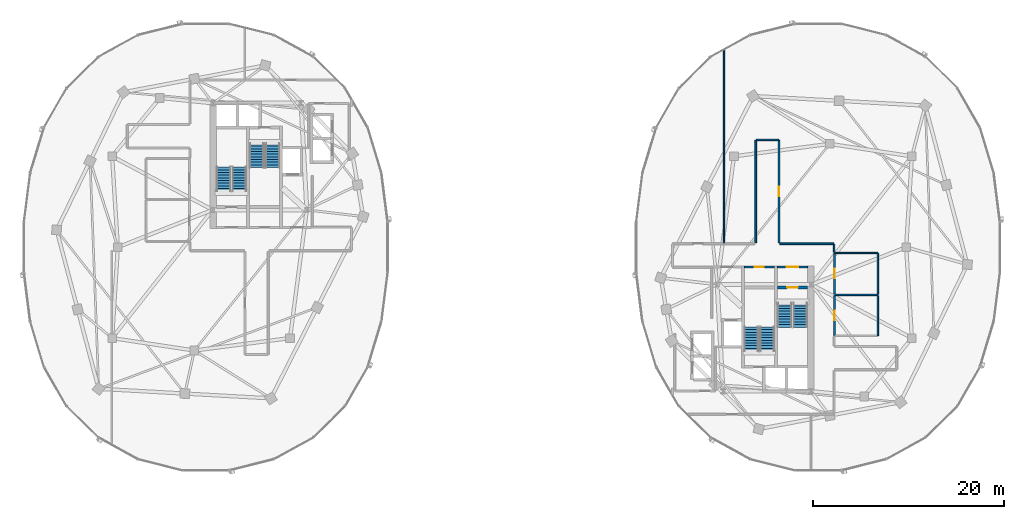
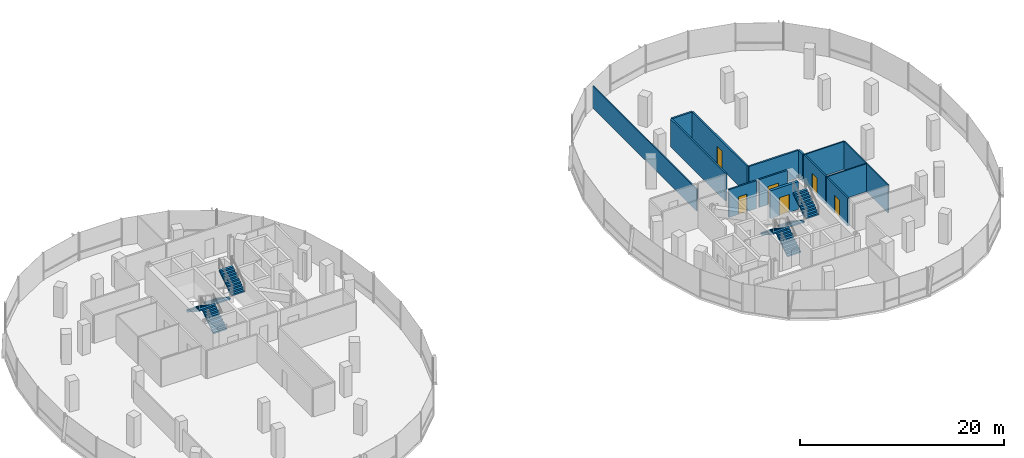
# One storey, part 14 of 21: 15 walls, 8 stair flights, 6 doors, 6 openings, 4 elements without a shape of their own.
"""IFC4 building model written with IfcOpenShell, lengths in metres."""

from ifc_helpers import new_model, si_unit, direction, frame, frame_2d, origin, place, context, subcontext, project, spatial, polyline, rectangle, outline, extrude, material, layer, layer_set, type_object, element, fill, aggregate, save


model = new_model("IFC4")

# Units and contexts
model_context = context("Model", 3, precision=1e-05, world=origin(), true_north=direction((0.0, 1.0)))
body_context = subcontext(model_context, "Body", "Model", "MODEL_VIEW")
ifc_project = project(units=[si_unit("LENGTHUNIT", "METRE"), si_unit("AREAUNIT", "SQUARE_METRE"), si_unit("VOLUMEUNIT", "CUBIC_METRE"), si_unit("PLANEANGLEUNIT", "RADIAN"), si_unit("MASSUNIT", "GRAM", prefix="KILO"), si_unit("THERMODYNAMICTEMPERATUREUNIT", "KELVIN"), si_unit("POWERUNIT", "WATT")], contexts=[model_context])

# Site, building, storey
site_placement = place(None, origin())
site = spatial("IfcSite", under=ifc_project, at=site_placement, CompositionType="ELEMENT")
building_placement = place(site_placement, origin())
building = spatial("IfcBuilding", under=site, at=building_placement, Name="Cundina Bronze Exchange", CompositionType="ELEMENT")
storey_placement = place(building_placement, frame((0.0, 0.0, 183.60009765625)))
storey = spatial("IfcBuildingStorey", under=building, at=storey_placement, Name="L48", CompositionType="ELEMENT", Elevation=183.60009765625)

# Wall, opening, door
ifc_material_1 = material(Name="Gypsum Fireboard Partition EI120")
ifc_layer_1 = layer(ifc_material_1, 0.179931640625, Name="Gypsum Fireboard Partition EI120")
ifc_layer_set_1 = layer_set([ifc_layer_1], Name="Gypsum Fireboard Partition EI120")
wall_type_1 = type_object("IfcWallType", Name="WL-COR-180", PredefinedType="PARTITIONING", material=ifc_layer_set_1)
wall_1_placement = place(storey_placement, frame((27.739990234375, -2.06005859375, 0.0), z_axis=(0.0, 0.0, 1.0), x_axis=(1.0, 0.0, 0.0)))
wall_1 = element("IfcWall", 1, at=wall_1_placement, inside=storey, type_object=wall_type_1, Name="L48 E Stair Vestibule Exit Wall", PredefinedType="PARTITIONING", context=body_context, shape_type="SweptSolid", body=[
    extrude(rectangle(XDim=3.159912109375, YDim=0.179931640625, at=frame_2d((1.580078125, 0.0))), origin(), (0.0, 0.0, 1.0), 3.31982421875),
])
opening_1_placement = place(wall_1_placement, frame((0.97998046875, 0.0, 0.0)))
opening_1 = element("IfcOpeningElement", 2, at=opening_1_placement, cuts=wall_1, Name="Opening DF-01", PredefinedType="OPENING", context=body_context, shape_type="SweptSolid", body=[
    extrude(rectangle(XDim=1.199951171875, YDim=2.14990234375, at=frame_2d((0.60009765625, 1.074951171875))), frame((0.0, 0.099853515625, 0.0), z_axis=(0.0, -1.0, 0.0), x_axis=(1.0, 0.0, 0.0)), (0.0, 0.0, 1.0), 0.199951171875),
])
ifc_material_2 = material(Name="Steel ASTM A36 Painted", Category="steel")
door_type_1 = type_object("IfcDoorType", Name="DR-FFL-1200", OperationType="NOTDEFINED", PredefinedType="DOOR", material=ifc_material_2)
door_1_placement = place(opening_1_placement, origin())
door_1 = element("IfcDoor", 3, at=door_1_placement, inside=storey, type_object=door_type_1, Name="L48 E Stair Vestibule Door", OperationType="SINGLE_SWING_RIGHT", OverallHeight=2.14990234375, OverallWidth=1.199951171875, PredefinedType="DOOR", context=body_context, shape_type="SweptSolid", body=[
    extrude(rectangle(XDim=1.199951171875, YDim=2.14990234375, at=frame_2d((0.60009765625, 1.074951171875))), frame((0.0, 0.02490234375, 0.0), z_axis=(0.0, -1.0, 0.0), x_axis=(1.0, 0.0, 0.0)), (0.0, 0.0, 1.0), 0.050048828125),
])
fill(opening_1, door_1)

wall_2_placement = place(storey_placement, frame((24.300048828125, -2.070068359375, 0.0), z_axis=(0.0, 0.0, 1.0), x_axis=(1.0, 0.0, 0.0)))
wall_2 = element("IfcWall", 4, at=wall_2_placement, inside=storey, type_object=wall_type_1, Name="L48 Interior Partition 037", PredefinedType="PARTITIONING", context=body_context, shape_type="SweptSolid", body=[
    extrude(rectangle(XDim=3.119873046875, YDim=0.179931640625, at=frame_2d((1.56005859375, 0.0))), origin(), (0.0, 0.0, 1.0), 3.31982421875),
])
opening_2_placement = place(wall_2_placement, frame((1.0849609375, 0.0, 0.0)))
opening_2 = element("IfcOpeningElement", 5, at=opening_2_placement, cuts=wall_2, Name="Opening DW-01", PredefinedType="OPENING", context=body_context, shape_type="SweptSolid", body=[
    extrude(rectangle(XDim=0.949951171875, YDim=2.10009765625, at=frame_2d((0.47509765625, 1.050048828125))), frame((0.0, 0.099853515625, 0.0), z_axis=(0.0, -1.0, 0.0), x_axis=(1.0, 0.0, 0.0)), (0.0, 0.0, 1.0), 0.199951171875),
])
ifc_material_3 = material(Name="Solid Andean Oak Timber Grade A", Category="wood")
door_type_2 = type_object("IfcDoorType", Name="DR-WC-950", OperationType="NOTDEFINED", PredefinedType="DOOR", material=ifc_material_3)
door_2_placement = place(opening_2_placement, origin())
door_2 = element("IfcDoor", 6, at=door_2_placement, inside=storey, type_object=door_type_2, Name="L48 Interior Door 037", OperationType="SINGLE_SWING_RIGHT", OverallHeight=2.10009765625, OverallWidth=0.949951171875, PredefinedType="DOOR", context=body_context, shape_type="SweptSolid", body=[
    extrude(rectangle(XDim=0.949951171875, YDim=2.10009765625, at=frame_2d((0.47509765625, 1.050048828125))), frame((0.0, 0.02490234375, 0.0), z_axis=(0.0, -1.0, 0.0), x_axis=(1.0, 0.0, 0.0)), (0.0, 0.0, 1.0), 0.050048828125),
])
fill(opening_2, door_2)

wall_3_placement = place(storey_placement, frame((33.719970703125, -4.8798828125, 0.0), z_axis=(0.0, 0.0, 1.0), x_axis=(0.0, 1.0, 0.0)))
wall_3 = element("IfcWall", 7, at=wall_3_placement, inside=storey, type_object=wall_type_1, Name="L48 Interior Partition 043", PredefinedType="PARTITIONING", context=body_context, shape_type="SweptSolid", body=[
    extrude(rectangle(XDim=4.259765625, YDim=0.179931640625, at=frame_2d((2.1298828125, 0.0))), origin(), (0.0, 0.0, 1.0), 3.31982421875),
])
opening_3_placement = place(wall_3_placement, frame((1.655029296875, 0.0, 0.0)))
opening_3 = element("IfcOpeningElement", 8, at=opening_3_placement, cuts=wall_3, Name="Opening DW-01", PredefinedType="OPENING", context=body_context, shape_type="SweptSolid", body=[
    extrude(rectangle(XDim=0.949951171875, YDim=2.10009765625, at=frame_2d((0.47509765625, 1.050048828125))), frame((0.0, 0.099853515625, 0.0), z_axis=(0.0, -1.0, 0.0), x_axis=(1.0, 0.0, 0.0)), (0.0, 0.0, 1.0), 0.199951171875),
])
door_3_placement = place(opening_3_placement, origin())
door_3 = element("IfcDoor", 9, at=door_3_placement, inside=storey, type_object=door_type_2, Name="L48 Interior Door 043", OperationType="SINGLE_SWING_RIGHT", OverallHeight=2.10009765625, OverallWidth=0.949951171875, PredefinedType="DOOR", context=body_context, shape_type="SweptSolid", body=[
    extrude(rectangle(XDim=0.949951171875, YDim=2.10009765625, at=frame_2d((0.47509765625, 1.050048828125))), frame((0.0, 0.02490234375, 0.0), z_axis=(0.0, -1.0, 0.0), x_axis=(1.0, 0.0, 0.0)), (0.0, 0.0, 1.0), 0.050048828125),
])
fill(opening_3, door_3)

wall_4_placement = place(storey_placement, frame((33.719970703125, -9.239990234375, 0.0), z_axis=(0.0, 0.0, 1.0), x_axis=(0.0, 1.0, 0.0)))
wall_4 = element("IfcWall", 10, at=wall_4_placement, inside=storey, type_object=wall_type_1, Name="L48 Interior Partition 044", PredefinedType="PARTITIONING", context=body_context, shape_type="SweptSolid", body=[
    extrude(rectangle(XDim=4.159912109375, YDim=0.179931640625, at=frame_2d((2.080078125, 0.0))), origin(), (0.0, 0.0, 1.0), 3.31982421875),
])
opening_4_placement = place(wall_4_placement, frame((1.580078125, 0.0, 0.0)))
opening_4 = element("IfcOpeningElement", 11, at=opening_4_placement, cuts=wall_4, Name="Opening DO-01", PredefinedType="OPENING", context=body_context, shape_type="SweptSolid", body=[
    extrude(rectangle(XDim=1.0, YDim=2.14990234375, at=frame_2d((0.5, 1.074951171875))), frame((0.0, 0.099853515625, 0.0), z_axis=(0.0, -1.0, 0.0), x_axis=(1.0, 0.0, 0.0)), (0.0, 0.0, 1.0), 0.199951171875),
])
door_type_3 = type_object("IfcDoorType", Name="DR-OFF-1000", OperationType="NOTDEFINED", PredefinedType="DOOR", material=ifc_material_3)
door_4_placement = place(opening_4_placement, origin())
door_4 = element("IfcDoor", 12, at=door_4_placement, inside=storey, type_object=door_type_3, Name="L48 Interior Door 044", OperationType="SINGLE_SWING_RIGHT", OverallHeight=2.14990234375, OverallWidth=1.0, PredefinedType="DOOR", context=body_context, shape_type="SweptSolid", body=[
    extrude(rectangle(XDim=1.0, YDim=2.14990234375, at=frame_2d((0.5, 1.074951171875))), frame((0.0, 0.02490234375, 0.0), z_axis=(0.0, -1.0, 0.0), x_axis=(1.0, 0.0, 0.0)), (0.0, 0.0, 1.0), 0.050048828125),
])
fill(opening_4, door_4)

wall_5_placement = place(storey_placement, frame((27.919921875, 0.449951171875, 0.0), z_axis=(0.0, 0.0, 1.0), x_axis=(0.0, 1.0, 0.0)))
wall_5 = element("IfcWall", 13, at=wall_5_placement, inside=storey, type_object=wall_type_1, Name="L48 Interior Partition 052", PredefinedType="PARTITIONING", context=body_context, shape_type="SweptSolid", body=[
    extrude(rectangle(XDim=10.728515625, YDim=0.179931640625, at=frame_2d((5.3642578125, 0.0))), origin(), (0.0, 0.0, 1.0), 3.31982421875),
])
opening_5_placement = place(wall_5_placement, frame((4.8642578125, 0.0, 0.0)))
opening_5 = element("IfcOpeningElement", 14, at=opening_5_placement, cuts=wall_5, Name="Opening DO-01", PredefinedType="OPENING", context=body_context, shape_type="SweptSolid", body=[
    extrude(rectangle(XDim=1.0, YDim=2.14990234375, at=frame_2d((0.5, 1.074951171875))), frame((0.0, 0.099853515625, 0.0), z_axis=(0.0, -1.0, 0.0), x_axis=(1.0, 0.0, 0.0)), (0.0, 0.0, 1.0), 0.199951171875),
])
door_5_placement = place(opening_5_placement, origin())
door_5 = element("IfcDoor", 15, at=door_5_placement, inside=storey, type_object=door_type_3, Name="L48 Interior Door 052", OperationType="SINGLE_SWING_RIGHT", OverallHeight=2.14990234375, OverallWidth=1.0, PredefinedType="DOOR", context=body_context, shape_type="SweptSolid", body=[
    extrude(rectangle(XDim=1.0, YDim=2.14990234375, at=frame_2d((0.5, 1.074951171875))), frame((0.0, 0.02490234375, 0.0), z_axis=(0.0, -1.0, 0.0), x_axis=(1.0, 0.0, 0.0)), (0.0, 0.0, 1.0), 0.050048828125),
])
fill(opening_5, door_5)

# Walls
wall_6_placement = place(storey_placement, frame((25.47998046875, 11.178466796875, 0.0), z_axis=(0.0, 0.0, 1.0), x_axis=(0.0, -1.0, 0.0)))
element("IfcWall", 16, at=wall_6_placement, inside=storey, type_object=wall_type_1, Name="L48 Interior Partition 053", PredefinedType="PARTITIONING", context=body_context, shape_type="SweptSolid", body=[
    extrude(rectangle(XDim=10.728515625, YDim=0.179931640625, at=frame_2d((5.3642578125, 0.0))), origin(), (0.0, 0.0, 1.0), 3.31982421875),
])
wall_7_placement = place(storey_placement, frame((33.62841796875, 0.3701171875, 0.0), z_axis=(0.0, 0.0, 1.0), x_axis=(-1.0, 0.0, 0.0)))
element("IfcWall", 17, at=wall_7_placement, inside=storey, type_object=wall_type_1, Name="L48 Interior Partition 056", PredefinedType="PARTITIONING", context=body_context, shape_type="SweptSolid", body=[
    extrude(rectangle(XDim=5.62841796875, YDim=0.179931640625, at=frame_2d((2.814208984375, 0.0))), origin(), (0.0, 0.0, 1.0), 3.31982421875),
])
wall_8_placement = place(storey_placement, frame((27.87841796875, 11.219970703125, 0.0), z_axis=(0.0, 0.0, 1.0), x_axis=(-1.0, 0.0, 0.0)))
element("IfcWall", 18, at=wall_8_placement, inside=storey, type_object=wall_type_1, Name="L48 Interior Partition 059", PredefinedType="PARTITIONING", context=body_context, shape_type="SweptSolid", body=[
    extrude(rectangle(XDim=2.35693359375, YDim=0.179931640625, at=frame_2d((1.178466796875, 0.0))), origin(), (0.0, 0.0, 1.0), 3.31982421875),
])
wall_9_placement = place(storey_placement, frame((33.669921875, -0.508544921875, 0.0), z_axis=(0.0, 0.0, 1.0), x_axis=(0.0, 1.0, 0.0)))
element("IfcWall", 19, at=wall_9_placement, inside=storey, type_object=wall_type_1, Name="L48 Interior Partition 063", PredefinedType="PARTITIONING", context=body_context, shape_type="SweptSolid", body=[
    extrude(rectangle(XDim=0.837158203125, YDim=0.179931640625, at=frame_2d((0.41845703125, 0.0))), origin(), (0.0, 0.0, 1.0), 3.31982421875),
])
ifc_material_4 = material(Name="Gypsum Acoustic Partition EI60")
ifc_layer_2 = layer(ifc_material_4, 0.125, Name="Gypsum Acoustic Partition EI60")
ifc_layer_set_2 = layer_set([ifc_layer_2], Name="Gypsum Acoustic Partition EI60")
wall_type_2 = type_object("IfcWallType", Name="WL-OFF-125", PredefinedType="PARTITIONING", material=ifc_layer_set_2)
wall_10_placement = place(storey_placement, frame((22.169921875, 0.39990234375, 0.0), z_axis=(0.0, 0.0, 1.0), x_axis=(0.0, 1.0, 0.0)))
element("IfcWall", 20, at=wall_10_placement, inside=storey, type_object=wall_type_2, Name="L48 Interior Partition 045", PredefinedType="PARTITIONING", context=body_context, shape_type="SweptSolid", body=[
    extrude(rectangle(XDim=20.341552734375, YDim=0.125, at=frame_2d((10.1708984375, 0.0))), origin(), (0.0, 0.0, 1.0), 2.625),
])

# Wall, opening, door
ifc_material_5 = material(Name="Concrete C50/60", Category="concrete")
ifc_layer_3 = layer(ifc_material_5, 0.300048828125, Name="Concrete C50/60", Category="concrete")
ifc_layer_set_3 = layer_set([ifc_layer_3], Name="Concrete C50/60")
wall_type_3 = type_object("IfcWallType", Name="WL-SHFT-300", PredefinedType="SHEAR", material=ifc_layer_set_3)
wall_11_placement = place(storey_placement, frame((27.739990234375, -4.199951171875, 0.0), z_axis=(0.0, 0.0, 1.0), x_axis=(1.0, 0.0, 0.0)))
wall_11 = element("IfcWall", 21, at=wall_11_placement, inside=storey, type_object=wall_type_3, Name="L48 Stair E1 Landing Wall", PredefinedType="SHEAR", context=body_context, shape_type="SweptSolid", body=[
    extrude(rectangle(XDim=3.159912109375, YDim=0.300048828125, at=frame_2d((1.580078125, 0.0))), origin(), (0.0, 0.0, 1.0), 3.31982421875),
])
opening_6_placement = place(wall_11_placement, frame((1.030029296875, 0.0, 0.0)))
opening_6 = element("IfcOpeningElement", 22, at=opening_6_placement, cuts=wall_11, Name="Opening DS-01", PredefinedType="OPENING", context=body_context, shape_type="SweptSolid", body=[
    extrude(rectangle(XDim=1.10009765625, YDim=2.14990234375, at=frame_2d((0.550048828125, 1.074951171875))), frame((0.0, 0.159912109375, 0.0), z_axis=(0.0, -1.0, 0.0), x_axis=(1.0, 0.0, 0.0)), (0.0, 0.0, 1.0), 0.320068359375),
])
door_type_4 = type_object("IfcDoorType", Name="DR-STR-1100", OperationType="NOTDEFINED", PredefinedType="DOOR", material=ifc_material_2)
door_6_placement = place(opening_6_placement, origin())
door_6 = element("IfcDoor", 23, at=door_6_placement, inside=storey, type_object=door_type_4, Name="L48 Smokeproof Stair E1 Door", OperationType="SINGLE_SWING_LEFT", OverallHeight=2.14990234375, OverallWidth=1.10009765625, PredefinedType="DOOR", context=body_context, shape_type="SweptSolid", body=[
    extrude(rectangle(XDim=1.10009765625, YDim=2.14990234375, at=frame_2d((0.550048828125, 1.074951171875))), frame((0.0, 0.02490234375, 0.0), z_axis=(0.0, -1.0, 0.0), x_axis=(1.0, 0.0, 0.0)), (0.0, 0.0, 1.0), 0.050048828125),
])
fill(opening_6, door_6)

# Walls
ifc_material_6 = material(Name="Moisture-Resistant Masonry Block Grade M15", Category="masonry")
ifc_layer_4 = layer(ifc_material_6, 0.139892578125, Name="Moisture-Resistant Masonry Block Grade M15", Category="masonry")
ifc_layer_set_4 = layer_set([ifc_layer_4], Name="Moisture-Resistant Masonry Block Grade M15")
wall_type_4 = type_object("IfcWallType", Name="WL-WET-140", PredefinedType="PARTITIONING", material=ifc_layer_set_4)
wall_12_placement = place(storey_placement, frame((38.239990234375, -9.239990234375, 0.0), z_axis=(0.0, 0.0, 1.0), x_axis=(0.0, 1.0, 0.0)))
element("IfcWall", 24, at=wall_12_placement, inside=storey, type_object=wall_type_4, Name="L48 Interior Partition 038", PredefinedType="PARTITIONING", context=body_context, shape_type="SweptSolid", body=[
    extrude(rectangle(XDim=4.175048828125, YDim=0.139892578125, at=frame_2d((2.08740234375, 0.0))), origin(), (0.0, 0.0, 1.0), 3.31982421875),
])
wall_13_placement = place(storey_placement, frame((38.239990234375, -4.89501953125, 0.0), z_axis=(0.0, 0.0, 1.0), x_axis=(0.0, 1.0, 0.0)))
element("IfcWall", 25, at=wall_13_placement, inside=storey, type_object=wall_type_4, Name="L48 Interior Partition 039", PredefinedType="PARTITIONING", context=body_context, shape_type="SweptSolid", body=[
    extrude(rectangle(XDim=4.27490234375, YDim=0.139892578125, at=frame_2d((2.137451171875, 0.0))), origin(), (0.0, 0.0, 1.0), 3.31982421875),
])
for number, where, z_axis, x_axis, name in (
    (26, (33.739990234375, -0.60009765625, 0.0), (0.0, 0.0, 1.0), (1.0, 0.0, 0.0), "L48 Interior Partition 040"),
    (27, (33.739990234375, -4.97998046875, 0.0), (0.0, 0.0, 1.0), (1.0, 0.0, 0.0), "L48 Interior Partition 041"),
):
    element("IfcWall", number, at=place(storey_placement, frame(where, z_axis=z_axis, x_axis=x_axis)), inside=storey, type_object=wall_type_4, Name=name, PredefinedType="PARTITIONING", context=body_context, shape_type="SweptSolid", body=[
        extrude(rectangle(XDim=4.47998046875, YDim=0.139892578125, at=frame_2d((2.239990234375, 0.0))), origin(), (0.0, 0.0, 1.0), 3.31982421875),
    ])

# Stair, stair flights
ifc_material_7 = material(Name="Concrete C40/50", Category="concrete")
stair_type = type_object("IfcStairType", Name="STR-OFF-360", PredefinedType="HALF_TURN_STAIR", material=ifc_material_7)
stair_1_placement = place(storey_placement, origin())
stair_1 = element("IfcStair", 28, at=stair_1_placement, inside=storey, type_object=stair_type, Name="L48 Smokeproof Exit Stair W1", PredefinedType="HALF_TURN_STAIR")
stair_flight_type = type_object("IfcStairFlightType", Name="FLG-OFF-180", PredefinedType="STRAIGHT", material=ifc_material_7)
stair_flight_1_placement = place(storey_placement, frame((-28.489990234375, 5.85009765625, 0.0), z_axis=(0.0, 0.0, 1.0), x_axis=(0.0, 1.0, 0.0)))
stair_flight_1 = element("IfcStairFlight", 29, at=stair_flight_1_placement, type_object=stair_flight_type, Name="ST-W1 flight 1", NumberOfRisers=10, NumberOfTreads=9, PredefinedType="STRAIGHT", RiserHeight=0.18, TreadLength=0.28, context=body_context, shape_type="SweptSolid", body=[
    extrude(outline(polyline([(0.0, 0.0), (0.0, 0.179931640625), (0.280029296875, 0.179931640625), (0.280029296875, 0.360107421875), (0.56005859375, 0.360107421875), (0.56005859375, 0.5400390625), (0.840087890625, 0.5400390625), (0.840087890625, 0.719970703125), (1.1201171875, 0.719970703125), (1.1201171875, 0.89990234375), (1.39990234375, 0.89990234375), (1.39990234375, 1.080078125), (1.679931640625, 1.080078125), (1.679931640625, 1.260009765625), (1.9599609375, 1.260009765625), (1.9599609375, 1.43994140625), (2.239990234375, 1.43994140625), (2.239990234375, 1.6201171875), (2.52001953125, 1.6201171875), (2.52001953125, 1.800048828125), (2.52001953125, 1.44189453125), (0.277099609375, 0.0), (0.0, 0.0)])), frame((0.0, 0.75, 0.0), z_axis=(0.0, -1.0, 0.0), x_axis=(1.0, 0.0, 0.0)), (0.0, 0.0, 1.0), 1.5),
])
stair_flight_2_placement = place(storey_placement, frame((-30.14990234375, 8.3701171875, 1.7998046875), z_axis=(0.0, 0.0, 1.0), x_axis=(0.0, -1.0, 0.0)))
stair_flight_2 = element("IfcStairFlight", 30, at=stair_flight_2_placement, type_object=stair_flight_type, Name="ST-W1 flight 2", NumberOfRisers=10, NumberOfTreads=9, PredefinedType="STRAIGHT", RiserHeight=0.18, TreadLength=0.28, context=body_context, shape_type="SweptSolid", body=[
    extrude(outline(polyline([(0.0, 0.0), (0.0, 0.179931640625), (0.280029296875, 0.179931640625), (0.280029296875, 0.360107421875), (0.56005859375, 0.360107421875), (0.56005859375, 0.5400390625), (0.840087890625, 0.5400390625), (0.840087890625, 0.719970703125), (1.1201171875, 0.719970703125), (1.1201171875, 0.89990234375), (1.39990234375, 0.89990234375), (1.39990234375, 1.080078125), (1.679931640625, 1.080078125), (1.679931640625, 1.260009765625), (1.9599609375, 1.260009765625), (1.9599609375, 1.43994140625), (2.239990234375, 1.43994140625), (2.239990234375, 1.6201171875), (2.52001953125, 1.6201171875), (2.52001953125, 1.800048828125), (2.52001953125, 1.44189453125), (0.277099609375, 0.0), (0.0, 0.0)])), frame((0.0, 0.75, 0.0), z_axis=(0.0, -1.0, 0.0), x_axis=(1.0, 0.0, 0.0)), (0.0, 0.0, 1.0), 1.5),
])
aggregate(stair_1, [stair_flight_1, stair_flight_2])

stair_2_placement = place(storey_placement, origin())
stair_2 = element("IfcStair", 31, at=stair_2_placement, inside=storey, type_object=stair_type, Name="L48 Smokeproof Exit Stair W2", PredefinedType="HALF_TURN_STAIR")
stair_flight_3_placement = place(storey_placement, frame((-26.68994140625, 10.85009765625, 0.0), z_axis=(0.0, 0.0, 1.0), x_axis=(0.0, -1.0, 0.0)))
stair_flight_3 = element("IfcStairFlight", 32, at=stair_flight_3_placement, type_object=stair_flight_type, Name="ST-W2 flight 1", NumberOfRisers=10, NumberOfTreads=9, PredefinedType="STRAIGHT", RiserHeight=0.18, TreadLength=0.28, context=body_context, shape_type="SweptSolid", body=[
    extrude(outline(polyline([(0.0, 0.0), (0.0, 0.179931640625), (0.280029296875, 0.179931640625), (0.280029296875, 0.360107421875), (0.56005859375, 0.360107421875), (0.56005859375, 0.5400390625), (0.840087890625, 0.5400390625), (0.840087890625, 0.719970703125), (1.1201171875, 0.719970703125), (1.1201171875, 0.89990234375), (1.39990234375, 0.89990234375), (1.39990234375, 1.080078125), (1.679931640625, 1.080078125), (1.679931640625, 1.260009765625), (1.9599609375, 1.260009765625), (1.9599609375, 1.43994140625), (2.239990234375, 1.43994140625), (2.239990234375, 1.6201171875), (2.52001953125, 1.6201171875), (2.52001953125, 1.800048828125), (2.52001953125, 1.44189453125), (0.277099609375, 0.0), (0.0, 0.0)])), frame((0.0, 0.75, 0.0), z_axis=(0.0, -1.0, 0.0), x_axis=(1.0, 0.0, 0.0)), (0.0, 0.0, 1.0), 1.5),
])
stair_flight_4_placement = place(storey_placement, frame((-25.030029296875, 8.330078125, 1.7998046875), z_axis=(0.0, 0.0, 1.0), x_axis=(0.0, 1.0, 0.0)))
stair_flight_4 = element("IfcStairFlight", 33, at=stair_flight_4_placement, type_object=stair_flight_type, Name="ST-W2 flight 2", NumberOfRisers=10, NumberOfTreads=9, PredefinedType="STRAIGHT", RiserHeight=0.18, TreadLength=0.28, context=body_context, shape_type="SweptSolid", body=[
    extrude(outline(polyline([(0.0, 0.0), (0.0, 0.179931640625), (0.280029296875, 0.179931640625), (0.280029296875, 0.360107421875), (0.56005859375, 0.360107421875), (0.56005859375, 0.5400390625), (0.840087890625, 0.5400390625), (0.840087890625, 0.719970703125), (1.1201171875, 0.719970703125), (1.1201171875, 0.89990234375), (1.39990234375, 0.89990234375), (1.39990234375, 1.080078125), (1.679931640625, 1.080078125), (1.679931640625, 1.260009765625), (1.9599609375, 1.260009765625), (1.9599609375, 1.43994140625), (2.239990234375, 1.43994140625), (2.239990234375, 1.6201171875), (2.52001953125, 1.6201171875), (2.52001953125, 1.800048828125), (2.52001953125, 1.44189453125), (0.277099609375, 0.0), (0.0, 0.0)])), frame((0.0, 0.75, 0.0), z_axis=(0.0, -1.0, 0.0), x_axis=(1.0, 0.0, 0.0)), (0.0, 0.0, 1.0), 1.5),
])
aggregate(stair_2, [stair_flight_3, stair_flight_4])

stair_3_placement = place(storey_placement, origin())
stair_3 = element("IfcStair", 34, at=stair_3_placement, inside=storey, type_object=stair_type, Name="L48 Smokeproof Exit Stair E1", PredefinedType="HALF_TURN_STAIR")
stair_flight_5_placement = place(storey_placement, frame((28.489990234375, -5.85009765625, 0.0), z_axis=(0.0, 0.0, 1.0), x_axis=(0.0, -1.0, 0.0)))
stair_flight_5 = element("IfcStairFlight", 35, at=stair_flight_5_placement, type_object=stair_flight_type, Name="ST-E1 flight 1", NumberOfRisers=10, NumberOfTreads=9, PredefinedType="STRAIGHT", RiserHeight=0.18, TreadLength=0.28, context=body_context, shape_type="SweptSolid", body=[
    extrude(outline(polyline([(0.0, 0.0), (0.0, 0.179931640625), (0.280029296875, 0.179931640625), (0.280029296875, 0.360107421875), (0.56005859375, 0.360107421875), (0.56005859375, 0.5400390625), (0.840087890625, 0.5400390625), (0.840087890625, 0.719970703125), (1.1201171875, 0.719970703125), (1.1201171875, 0.89990234375), (1.39990234375, 0.89990234375), (1.39990234375, 1.080078125), (1.679931640625, 1.080078125), (1.679931640625, 1.260009765625), (1.9599609375, 1.260009765625), (1.9599609375, 1.43994140625), (2.239990234375, 1.43994140625), (2.239990234375, 1.6201171875), (2.52001953125, 1.6201171875), (2.52001953125, 1.800048828125), (2.52001953125, 1.44189453125), (0.277099609375, 0.0), (0.0, 0.0)])), frame((0.0, 0.75, 0.0), z_axis=(0.0, -1.0, 0.0), x_axis=(1.0, 0.0, 0.0)), (0.0, 0.0, 1.0), 1.5),
])
stair_flight_6_placement = place(storey_placement, frame((30.14990234375, -8.3701171875, 1.7998046875), z_axis=(0.0, 0.0, 1.0), x_axis=(0.0, 1.0, 0.0)))
stair_flight_6 = element("IfcStairFlight", 36, at=stair_flight_6_placement, type_object=stair_flight_type, Name="ST-E1 flight 2", NumberOfRisers=10, NumberOfTreads=9, PredefinedType="STRAIGHT", RiserHeight=0.18, TreadLength=0.28, context=body_context, shape_type="SweptSolid", body=[
    extrude(outline(polyline([(0.0, 0.0), (0.0, 0.179931640625), (0.280029296875, 0.179931640625), (0.280029296875, 0.360107421875), (0.56005859375, 0.360107421875), (0.56005859375, 0.5400390625), (0.840087890625, 0.5400390625), (0.840087890625, 0.719970703125), (1.1201171875, 0.719970703125), (1.1201171875, 0.89990234375), (1.39990234375, 0.89990234375), (1.39990234375, 1.080078125), (1.679931640625, 1.080078125), (1.679931640625, 1.260009765625), (1.9599609375, 1.260009765625), (1.9599609375, 1.43994140625), (2.239990234375, 1.43994140625), (2.239990234375, 1.6201171875), (2.52001953125, 1.6201171875), (2.52001953125, 1.800048828125), (2.52001953125, 1.44189453125), (0.277099609375, 0.0), (0.0, 0.0)])), frame((0.0, 0.75, 0.0), z_axis=(0.0, -1.0, 0.0), x_axis=(1.0, 0.0, 0.0)), (0.0, 0.0, 1.0), 1.5),
])
aggregate(stair_3, [stair_flight_5, stair_flight_6])

stair_4_placement = place(storey_placement, origin())
stair_4 = element("IfcStair", 37, at=stair_4_placement, inside=storey, type_object=stair_type, Name="L48 Smokeproof Exit Stair E2", PredefinedType="HALF_TURN_STAIR")
stair_flight_7_placement = place(storey_placement, frame((26.68994140625, -10.85009765625, 0.0), z_axis=(0.0, 0.0, 1.0), x_axis=(0.0, 1.0, 0.0)))
stair_flight_7 = element("IfcStairFlight", 38, at=stair_flight_7_placement, type_object=stair_flight_type, Name="ST-E2 flight 1", NumberOfRisers=10, NumberOfTreads=9, PredefinedType="STRAIGHT", RiserHeight=0.18, TreadLength=0.28, context=body_context, shape_type="SweptSolid", body=[
    extrude(outline(polyline([(0.0, 0.0), (0.0, 0.179931640625), (0.280029296875, 0.179931640625), (0.280029296875, 0.360107421875), (0.56005859375, 0.360107421875), (0.56005859375, 0.5400390625), (0.840087890625, 0.5400390625), (0.840087890625, 0.719970703125), (1.1201171875, 0.719970703125), (1.1201171875, 0.89990234375), (1.39990234375, 0.89990234375), (1.39990234375, 1.080078125), (1.679931640625, 1.080078125), (1.679931640625, 1.260009765625), (1.9599609375, 1.260009765625), (1.9599609375, 1.43994140625), (2.239990234375, 1.43994140625), (2.239990234375, 1.6201171875), (2.52001953125, 1.6201171875), (2.52001953125, 1.800048828125), (2.52001953125, 1.44189453125), (0.277099609375, 0.0), (0.0, 0.0)])), frame((0.0, 0.75, 0.0), z_axis=(0.0, -1.0, 0.0), x_axis=(1.0, 0.0, 0.0)), (0.0, 0.0, 1.0), 1.5),
])
stair_flight_8_placement = place(storey_placement, frame((25.030029296875, -8.330078125, 1.7998046875), z_axis=(0.0, 0.0, 1.0), x_axis=(0.0, -1.0, 0.0)))
stair_flight_8 = element("IfcStairFlight", 39, at=stair_flight_8_placement, type_object=stair_flight_type, Name="ST-E2 flight 2", NumberOfRisers=10, NumberOfTreads=9, PredefinedType="STRAIGHT", RiserHeight=0.18, TreadLength=0.28, context=body_context, shape_type="SweptSolid", body=[
    extrude(outline(polyline([(0.0, 0.0), (0.0, 0.179931640625), (0.280029296875, 0.179931640625), (0.280029296875, 0.360107421875), (0.56005859375, 0.360107421875), (0.56005859375, 0.5400390625), (0.840087890625, 0.5400390625), (0.840087890625, 0.719970703125), (1.1201171875, 0.719970703125), (1.1201171875, 0.89990234375), (1.39990234375, 0.89990234375), (1.39990234375, 1.080078125), (1.679931640625, 1.080078125), (1.679931640625, 1.260009765625), (1.9599609375, 1.260009765625), (1.9599609375, 1.43994140625), (2.239990234375, 1.43994140625), (2.239990234375, 1.6201171875), (2.52001953125, 1.6201171875), (2.52001953125, 1.800048828125), (2.52001953125, 1.44189453125), (0.277099609375, 0.0), (0.0, 0.0)])), frame((0.0, 0.75, 0.0), z_axis=(0.0, -1.0, 0.0), x_axis=(1.0, 0.0, 0.0)), (0.0, 0.0, 1.0), 1.5),
])
aggregate(stair_4, [stair_flight_7, stair_flight_8])

save(model, "model.ifc")
